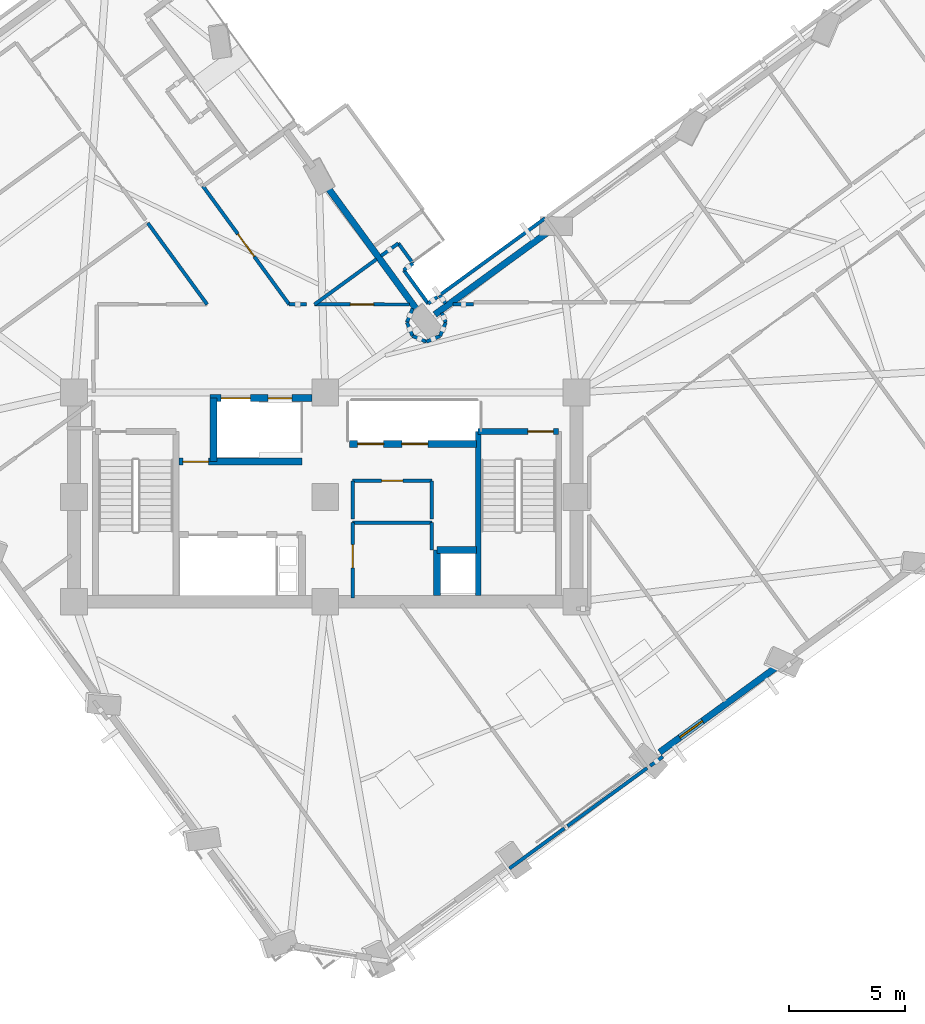
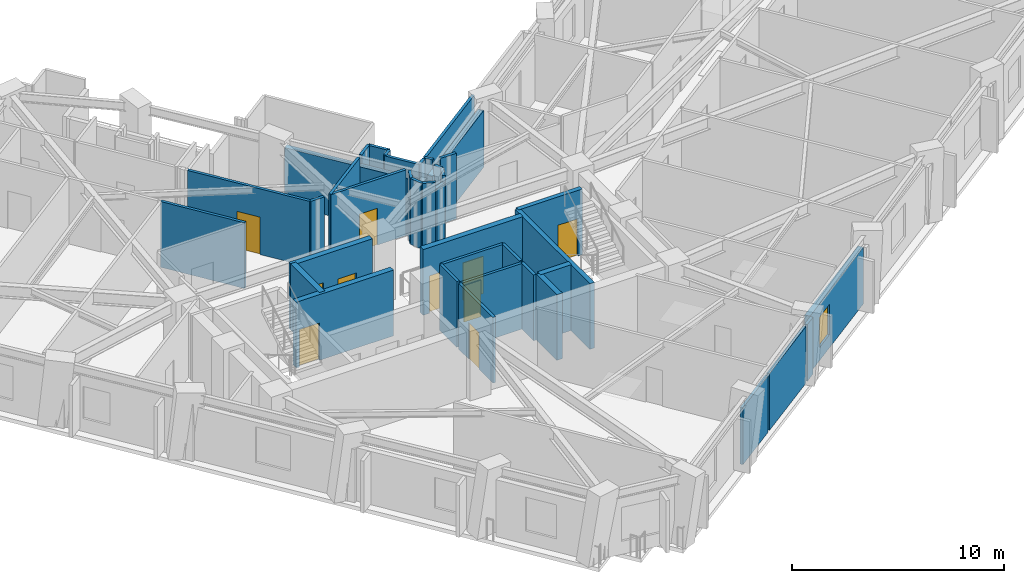
# One storey, part 6 of 14: 39 walls, 10 doors, 1 window, 11 openings.
"""IFC4 building model written with IfcOpenShell, lengths in metres."""

import ifcopenshell
import ifcopenshell.guid

model = None  # the IFC model being written
_history = None  # IfcOwnerHistory: only IFC2X3 demands one
_inside = {}  # id of a spatial element -> (the spatial element, [elements in it])
_under = {}  # id of a project, library or spatial element -> (it, [spatial elements below it])
_declared = {}  # id of a project -> (the project, [libraries it declares])
_typed = {}  # id of a type object -> (the type object, [elements of that type])
_made_of = {}  # id of a material, layer set ... -> (it, [elements and type objects made of it])


def new_model(schema):
    """Start an empty IFC model of exactly this schema.

    Asked for "IFC4X3", IfcOpenShell would pick the latest addendum, in which some entities
    have other attributes; the version numbers below select the first issue.
    IFC2X3 requires an IfcOwnerHistory on every rooted entity: one is made here for all.
    """
    global model, _history
    if schema == "IFC4X3":
        model = ifcopenshell.file(schema_version=(4, 3, 0, 0))
    else:
        model = ifcopenshell.file(schema=schema)
    _inside.clear()
    _under.clear()
    _declared.clear()
    _typed.clear()
    _made_of.clear()
    _history = None
    if model.schema == "IFC2X3":
        org = make("IfcOrganization", Name="unknown")
        user = make(
            "IfcPersonAndOrganization",
            ThePerson=make("IfcPerson", FamilyName="unknown"),
            TheOrganization=org,
        )
        app = make(
            "IfcApplication",
            ApplicationDeveloper=org,
            Version="unknown",
            ApplicationFullName="unknown",
            ApplicationIdentifier="unknown",
        )
        _history = make(
            "IfcOwnerHistory",
            OwningUser=user,
            OwningApplication=app,
            ChangeAction="ADDED",
            CreationDate=0,
        )
    return model


def make(cls, **values):
    """One entity of the class cls with the attributes given. An attribute that is None is left unset."""
    return model.create_entity(
        cls, **{name: value for name, value in values.items() if value is not None}
    )


def rooted(cls, **values):
    """An entity with a GlobalId (a new one), such as an element, a storey or a relation."""
    return make(cls, GlobalId=ifcopenshell.guid.new(), OwnerHistory=_history, **values)


def si_unit(unit_type, name, prefix=None):
    """IfcSIUnit, for example si_unit("LENGTHUNIT", "METRE", prefix="MILLI")."""
    return make("IfcSIUnit", UnitType=unit_type, Prefix=prefix, Name=name)


def assignment(units):
    """IfcUnitAssignment: the units of a project."""
    return None if units is None else make("IfcUnitAssignment", Units=units)


def point(xyz):
    """IfcCartesianPoint."""
    return None if xyz is None else make("IfcCartesianPoint", Coordinates=xyz)


def direction(xyz):
    """IfcDirection."""
    return None if xyz is None else make("IfcDirection", DirectionRatios=xyz)


def frame(location, z_axis=None, x_axis=None):
    """IfcAxis2Placement3D, a coordinate frame: its origin and axes. An axis left out is left unset."""
    return make(
        "IfcAxis2Placement3D",
        Location=point(location),
        Axis=direction(z_axis),
        RefDirection=direction(x_axis),
    )


def frame_2d(location, x_axis=None):
    """IfcAxis2Placement2D, a coordinate frame in the plane: its origin and x axis."""
    return make(
        "IfcAxis2Placement2D", Location=point(location), RefDirection=direction(x_axis)
    )


def origin():
    """The frame at (0, 0, 0) with its axes left unset."""
    return frame((0.0, 0.0, 0.0))


def place(relative_to, where):
    """IfcLocalPlacement: puts the frame where relative to a parent placement (None: the world)."""
    return make(
        "IfcLocalPlacement", PlacementRelTo=relative_to, RelativePlacement=where
    )


def context(
    kind, dimensions, precision=None, world=None, true_north=None, identifier=None
):
    """IfcGeometricRepresentationContext, for example the 3D "Model" context."""
    return make(
        "IfcGeometricRepresentationContext",
        ContextIdentifier=identifier,
        ContextType=kind,
        CoordinateSpaceDimension=dimensions,
        Precision=precision,
        WorldCoordinateSystem=world,
        TrueNorth=true_north,
    )


def subcontext(parent, identifier, kind, view, scale=None):
    """IfcGeometricRepresentationSubContext, for example "Body" below "Model"."""
    return make(
        "IfcGeometricRepresentationSubContext",
        ContextIdentifier=identifier,
        ContextType=kind,
        ParentContext=parent,
        TargetScale=scale,
        TargetView=view,
    )


def project(units=None, contexts=None):
    """IfcProject with its units and contexts."""
    return rooted(
        "IfcProject",
        Name="project",
        RepresentationContexts=contexts,
        UnitsInContext=assignment(units),
    )


def spatial(cls, under=None, at=None, **own):
    """A site, building, storey or space (cls), placed at a placement, below another one or the project."""
    s = rooted(cls, ObjectPlacement=at, **own)
    if under is not None:
        _under.setdefault(under.id(), (under, []))[1].append(s)
    return s


def profile(cls, at=None, kind="AREA", **sizes):
    """A parametric profile (cls). Its sizes go by their IFC names, for example OverallWidth=200.0."""
    return make(cls, ProfileType=kind, Position=at, **sizes)


def rectangle(**sizes):
    """IfcRectangleProfileDef."""
    return profile("IfcRectangleProfileDef", **sizes)


def extrude(swept, where, along, depth):
    """IfcExtrudedAreaSolid: the profile swept, set in the frame where, extruded along a direction by depth."""
    return make(
        "IfcExtrudedAreaSolid",
        SweptArea=swept,
        Position=where,
        ExtrudedDirection=direction(along),
        Depth=depth,
    )


def shape(context_of_items, identifier, shape_type, items):
    """IfcShapeRepresentation: the items that make up one representation, for example the "Body"."""
    return make(
        "IfcShapeRepresentation",
        ContextOfItems=context_of_items,
        RepresentationIdentifier=identifier,
        RepresentationType=shape_type,
        Items=items,
    )


def material(Name=None, Category=None):
    """IfcMaterial."""
    return make("IfcMaterial", Name=Name, Category=Category)


def layer(
    of_material, thickness, ventilated=None, Name=None, Category=None, Priority=None
):
    """IfcMaterialLayer: one layer of a wall or slab, of a material (None: an air gap)."""
    return make(
        "IfcMaterialLayer",
        Material=of_material,
        LayerThickness=thickness,
        IsVentilated=ventilated,
        Name=Name,
        Category=Category,
        Priority=Priority,
    )


def layer_set(layers, Name=None):
    """IfcMaterialLayerSet."""
    return make("IfcMaterialLayerSet", MaterialLayers=layers, LayerSetName=Name)


def made_of(thing, what):
    """Note that an element or type object is made of a material, layer set ...; save() writes the relation."""
    if what is not None:
        _made_of.setdefault(what.id(), (what, []))[1].append(thing)
    return thing


def type_object(cls, material=None, **own):
    """A type object (cls), such as IfcWallType, which elements share."""
    return made_of(rooted(cls, **own), material)


def element(
    cls,
    number,
    at=None,
    inside=None,
    cuts=None,
    type_object=None,
    material=None,
    context=None,
    identifier="Body",
    shape_type=None,
    held_by="IfcProductDefinitionShape",
    body=None,
    shapes=None,
    **own,
):
    """One element of the class cls, such as IfcWall. Its Tag is "e" and its number.

    at: its placement. inside: the storey or other place that contains it. cuts: it is an
    opening in that element (IfcRelVoidsElement). A single representation is given by context,
    identifier, shape_type and body (its items); several are given by shapes. held_by: the class
    of the entity that holds the representations. save() writes the other relations.
    """
    e = rooted(cls, Tag="e%d" % number, ObjectPlacement=at, **own)
    if body is not None:
        shapes = [shape(context, identifier, shape_type, body)]
    if shapes is not None:
        e.Representation = make(held_by, Representations=shapes)
    if inside is not None:
        _inside.setdefault(inside.id(), (inside, []))[1].append(e)
    if cuts is not None:
        rooted(
            "IfcRelVoidsElement", RelatingBuildingElement=cuts, RelatedOpeningElement=e
        )
    if type_object is not None:
        _typed.setdefault(type_object.id(), (type_object, []))[1].append(e)
    return made_of(e, material)


def fill(opening, filler):
    """IfcRelFillsElement: the door or window that sits in an opening."""
    return rooted(
        "IfcRelFillsElement",
        RelatingOpeningElement=opening,
        RelatedBuildingElement=filler,
    )


def aggregate(whole, parts):
    """IfcRelAggregates: a whole, such as a stair, and the parts it consists of."""
    return rooted("IfcRelAggregates", RelatingObject=whole, RelatedObjects=parts)


def save(model, path):
    """Write the relations noted so far, then the file.

    IfcRelAggregates (storeys below a building ...), IfcRelContainedInSpatialStructure (elements
    in a storey), IfcRelDefinesByType, IfcRelAssociatesMaterial and IfcRelDeclares: one each for
    every whole, place, type object, material and project.
    """
    for whole, parts in _under.values():
        aggregate(whole, parts)
    for where, things in _inside.values():
        rooted(
            "IfcRelContainedInSpatialStructure",
            RelatedElements=things,
            RelatingStructure=where,
        )
    for kind, things in _typed.values():
        rooted("IfcRelDefinesByType", RelatedObjects=things, RelatingType=kind)
    for what, things in _made_of.values():
        rooted("IfcRelAssociatesMaterial", RelatedObjects=things, RelatingMaterial=what)
    for by, libraries in _declared.values():
        rooted("IfcRelDeclares", RelatingContext=by, RelatedDefinitions=libraries)
    model.write(path)


model = new_model("IFC4")

# Units and contexts
model_context = context("Model", 3, precision=1e-05, world=origin(), true_north=direction((0.0, 1.0)))
body_context = subcontext(model_context, "Body", "Model", "MODEL_VIEW")
ifc_project = project(units=[si_unit("LENGTHUNIT", "METRE"), si_unit("AREAUNIT", "SQUARE_METRE"), si_unit("VOLUMEUNIT", "CUBIC_METRE"), si_unit("PLANEANGLEUNIT", "RADIAN"), si_unit("MASSUNIT", "GRAM", prefix="KILO")], contexts=[model_context])

# Site, building, storey
site_placement = place(None, origin())
site = spatial("IfcSite", under=ifc_project, at=site_placement, CompositionType="ELEMENT")
building_placement = place(site_placement, origin())
building = spatial("IfcBuilding", under=site, at=building_placement, Name="Gaonmaruhae Medical Tower", CompositionType="ELEMENT")
storey_placement = place(building_placement, frame((0.0, 0.0, 177.800048828125)))
storey = spatial("IfcBuildingStorey", under=building, at=storey_placement, Name="L42", CompositionType="ELEMENT", Elevation=177.800048828125)

# Wall, opening, window
ifc_material_1 = material(Name="Precast concrete C45/55", Category="concrete")
ifc_layer_1 = layer(ifc_material_1, 0.280029296875)
ifc_layer_set_1 = layer_set([ifc_layer_1], Name="Precast concrete C45/55")
wall_type_1 = type_object("IfcWallType", Name="EW-280 Upper Precast Masonry-Frame Facade Wall", PredefinedType="SOLIDWALL", material=ifc_layer_set_1)
wall_1_placement = place(storey_placement, frame((44.19580078125, 4.9892578125, 0.0), z_axis=(0.0, 0.0, 1.0), x_axis=(-0.80798960604, -0.589196738392, 0.0)))
wall_1 = element("IfcWall", 1, at=wall_1_placement, inside=storey, type_object=wall_type_1, Name="L42 Precast Masonry-Frame Wall S03-S04", PredefinedType="SOLIDWALL", context=body_context, shape_type="SweptSolid", body=[
    extrude(rectangle(XDim=6.214111328125, YDim=0.280029296875, at=frame_2d((3.10693359375, 0.0))), origin(), (0.0, 0.0, 1.0), 3.264892578125),
])
opening_1_placement = place(wall_1_placement, frame((3.93505859375, 0.0, 0.75)))
opening_1 = element("IfcOpeningElement", 2, at=opening_1_placement, cuts=wall_1, Name="Opening WN-05", PredefinedType="OPENING", context=body_context, shape_type="SweptSolid", body=[
    extrude(rectangle(XDim=1.199951171875, YDim=1.75, at=frame_2d((0.60009765625, 0.875))), frame((0.0, 0.14990234375, 0.0), z_axis=(0.0, -1.0, 0.0), x_axis=(1.0, 0.0, 0.0)), (0.0, 0.0, 1.0), 0.300048828125),
])
ifc_material_2 = material(Name="Anodised aluminium and Low-E double glazing", Category="aluminium")
window_type = type_object("IfcWindowType", Name="WN-05 Support & Staff Punched Window 1200x1750", PartitioningType="SINGLE_PANEL", PredefinedType="WINDOW", material=ifc_material_2)
window_placement = place(opening_1_placement, origin())
window = element("IfcWindow", 3, at=window_placement, inside=storey, type_object=window_type, Name="L42 Modular Facade Window S03", OverallHeight=1.75, OverallWidth=1.199951171875, PartitioningType="SINGLE_PANEL", PredefinedType="WINDOW", context=body_context, shape_type="SweptSolid", body=[
    extrude(rectangle(XDim=1.199951171875, YDim=1.75, at=frame_2d((0.60009765625, 0.875))), frame((0.0, 0.030029296875, 0.0), z_axis=(0.0, -1.0, 0.0), x_axis=(1.0, 0.0, 0.0)), (0.0, 0.0, 1.0), 0.06005859375),
])
fill(opening_1, window)

# Walls
wall_2_placement = place(storey_placement, frame((29.510986328125, 20.1474609375, 0.0), z_axis=(0.0, 0.0, 1.0), x_axis=(0.807984372864, 0.589203914793, 0.0)))
element("IfcWall", 4, at=wall_2_placement, inside=storey, type_object=wall_type_1, Name="L42 Precast Masonry-Frame Wall EN03-KN01", PredefinedType="SOLIDWALL", context=body_context, shape_type="SweptSolid", body=[
    extrude(rectangle(XDim=5.960205078125, YDim=0.280029296875, at=frame_2d((2.97998046875, 0.0))), origin(), (0.0, 0.0, 1.0), 3.264892578125),
])
wall_3_placement = place(storey_placement, frame((28.8427734375, 20.20703125, 0.0), z_axis=(0.0, 0.0, 1.0), x_axis=(-0.589197701426, 0.807988903782, 0.0)))
element("IfcWall", 5, at=wall_3_placement, inside=storey, type_object=wall_type_1, Name="L42 Precast Masonry-Frame Wall KN01-NE01", PredefinedType="SOLIDWALL", context=body_context, shape_type="SweptSolid", body=[
    extrude(rectangle(XDim=6.759765625, YDim=0.280029296875, at=frame_2d((3.3798828125, 0.0))), origin(), (0.0, 0.0, 1.0), 3.264892578125),
])

# Wall, opening, door
ifc_material_3 = material(Name="Gypsum board partition", Category="gypsum")
ifc_layer_2 = layer(ifc_material_3, 0.14990234375)
ifc_layer_set_2 = layer_set([ifc_layer_2], Name="Gypsum board partition")
wall_type_2 = type_object("IfcWallType", Name="PW-150 Rated Clinical Corridor Partition", PredefinedType="PARTITIONING", material=ifc_layer_set_2)
wall_4_placement = place(storey_placement, frame((25.97998046875, 7.9599609375, 0.0), z_axis=(0.0, 0.0, 1.0), x_axis=(0.0, 1.0, 0.0)))
wall_4 = element("IfcWall", 6, at=wall_4_placement, inside=storey, type_object=wall_type_2, Name="L42 Interior Partition L42-RCL1-1", PredefinedType="PARTITIONING", context=body_context, shape_type="SweptSolid", body=[
    extrude(rectangle(XDim=3.239990234375, YDim=0.14990234375, at=frame_2d((1.6201171875, 0.0))), origin(), (0.0, 0.0, 1.0), 3.780029296875),
])
opening_2_placement = place(wall_4_placement, frame((1.294921875, 0.0, 0.0)))
opening_2 = element("IfcOpeningElement", 7, at=opening_2_placement, cuts=wall_4, Name="Opening CD-01", PredefinedType="OPENING", context=body_context, shape_type="SweptSolid", body=[
    extrude(rectangle(XDim=1.0, YDim=2.1201171875, at=frame_2d((0.5, 1.06005859375))), frame((0.0, 0.0849609375, 0.0), z_axis=(0.0, -1.0, 0.0), x_axis=(1.0, 0.0, 0.0)), (0.0, 0.0, 1.0), 0.169921875),
])
ifc_material_4 = material(Name="Antimicrobial laminate timber fire door", Category="wood")
door_type_1 = type_object("IfcDoorType", Name="CD-01 Consultation & Physician Office Door 1000x2120", OperationType="NOTDEFINED", PredefinedType="DOOR", material=ifc_material_4)
door_1_placement = place(opening_2_placement, origin())
door_1 = element("IfcDoor", 8, at=door_1_placement, inside=storey, type_object=door_type_1, Name="L42 Clinical Telemetry and Medication Room Door", OperationType="SINGLE_SWING_RIGHT", OverallHeight=2.1201171875, OverallWidth=1.0, PredefinedType="DOOR", context=body_context, shape_type="SweptSolid", body=[
    extrude(rectangle(XDim=1.0, YDim=2.1201171875, at=frame_2d((0.5, 1.06005859375))), frame((0.0, 0.02490234375, 0.0), z_axis=(0.0, -1.0, 0.0), x_axis=(1.0, 0.0, 0.0)), (0.0, 0.0, 1.0), 0.050048828125),
])
fill(opening_2, door_1)

# Walls
wall_5_placement = place(storey_placement, frame((25.97998046875, 11.199951171875, 0.0), z_axis=(0.0, 0.0, 1.0), x_axis=(1.0, 0.0, 0.0)))
element("IfcWall", 9, at=wall_5_placement, inside=storey, type_object=wall_type_2, Name="L42 Interior Partition L42-RCL1-2", PredefinedType="PARTITIONING", context=body_context, shape_type="SweptSolid", body=[
    extrude(rectangle(XDim=3.39990234375, YDim=0.14990234375, at=frame_2d((1.699951171875, 0.0))), origin(), (0.0, 0.0, 1.0), 3.780029296875),
])
wall_6_placement = place(storey_placement, frame((29.3798828125, 11.199951171875, 0.0), z_axis=(0.0, 0.0, 1.0), x_axis=(0.0, -1.0, 0.0)))
element("IfcWall", 10, at=wall_6_placement, inside=storey, type_object=wall_type_2, Name="L42 Interior Partition L42-RCL1-3", PredefinedType="PARTITIONING", context=body_context, shape_type="SweptSolid", body=[
    extrude(rectangle(XDim=1.179931640625, YDim=0.14990234375, at=frame_2d((0.58984375, 0.0))), origin(), (0.0, 0.0, 1.0), 3.780029296875),
])
wall_7_placement = place(storey_placement, frame((25.97998046875, 11.360107421875, 0.0), z_axis=(0.0, 0.0, 1.0), x_axis=(0.0, 1.0, 0.0)))
element("IfcWall", 11, at=wall_7_placement, inside=storey, type_object=wall_type_2, Name="L42 Interior Partition L42-CS1-4", PredefinedType="PARTITIONING", context=body_context, shape_type="SweptSolid", body=[
    extrude(rectangle(XDim=1.639892578125, YDim=0.14990234375, at=frame_2d((0.81982421875, 0.0))), origin(), (0.0, 0.0, 1.0), 3.780029296875),
])

# Wall, opening, door
wall_8_placement = place(storey_placement, frame((25.97998046875, 13.0, 0.0), z_axis=(0.0, 0.0, 1.0), x_axis=(1.0, 0.0, 0.0)))
wall_8 = element("IfcWall", 12, at=wall_8_placement, inside=storey, type_object=wall_type_2, Name="L42 Interior Partition L42-CS1-5", PredefinedType="PARTITIONING", context=body_context, shape_type="SweptSolid", body=[
    extrude(rectangle(XDim=3.39990234375, YDim=0.14990234375, at=frame_2d((1.699951171875, 0.0))), origin(), (0.0, 0.0, 1.0), 3.780029296875),
])
opening_3_placement = place(wall_8_placement, frame((1.239990234375, 0.0, 0.0)))
opening_3 = element("IfcOpeningElement", 13, at=opening_3_placement, cuts=wall_8, Name="Opening UD-01", PredefinedType="OPENING", context=body_context, shape_type="SweptSolid", body=[
    extrude(rectangle(XDim=0.919921875, YDim=2.10009765625, at=frame_2d((0.4599609375, 1.050048828125))), frame((0.0, 0.0849609375, 0.0), z_axis=(0.0, -1.0, 0.0), x_axis=(1.0, 0.0, 0.0)), (0.0, 0.0, 1.0), 0.169921875),
])
ifc_material_5 = material(Name="Powder-coated steel utility door", Category="steel")
door_type_2 = type_object("IfcDoorType", Name="UD-01 Toilet, Utility & Housekeeping Door 920x2100", OperationType="NOTDEFINED", PredefinedType="DOOR", material=ifc_material_5)
door_2_placement = place(opening_3_placement, origin())
door_2 = element("IfcDoor", 14, at=door_2_placement, inside=storey, type_object=door_type_2, Name="L42 Accessible Staff Toilet Door", OperationType="SINGLE_SWING_LEFT", OverallHeight=2.10009765625, OverallWidth=0.919921875, PredefinedType="DOOR", context=body_context, shape_type="SweptSolid", body=[
    extrude(rectangle(XDim=0.919921875, YDim=2.10009765625, at=frame_2d((0.4599609375, 1.050048828125))), frame((0.0, 0.02490234375, 0.0), z_axis=(0.0, -1.0, 0.0), x_axis=(1.0, 0.0, 0.0)), (0.0, 0.0, 1.0), 0.050048828125),
])
fill(opening_3, door_2)

# Walls
wall_9_placement = place(storey_placement, frame((29.3798828125, 13.0, 0.0), z_axis=(0.0, 0.0, 1.0), x_axis=(0.0, -1.0, 0.0)))
element("IfcWall", 15, at=wall_9_placement, inside=storey, type_object=wall_type_2, Name="L42 Interior Partition L42-CS1-6", PredefinedType="PARTITIONING", context=body_context, shape_type="SweptSolid", body=[
    extrude(rectangle(XDim=1.639892578125, YDim=0.14990234375, at=frame_2d((0.81982421875, 0.0))), origin(), (0.0, 0.0, 1.0), 3.780029296875),
])
wall_10_placement = place(storey_placement, frame((35.0810546875, -1.94189453125, 0.0), z_axis=(0.0, 0.0, 1.0), x_axis=(-0.807964570439, -0.589231069204, 0.0)))
element("IfcWall", 16, at=wall_10_placement, inside=storey, type_object=wall_type_2, Name="L42 Interior Partition L42-SUP03-10", PredefinedType="PARTITIONING", context=body_context, shape_type="SweptSolid", body=[
    extrude(rectangle(XDim=2.930908203125, YDim=0.14990234375, at=frame_2d((1.46533203125, 0.0))), origin(), (0.0, 0.0, 1.0), 3.264892578125),
])
wall_11_placement = place(storey_placement, frame((38.635986328125, 0.64990234375, 0.0), z_axis=(0.0, 0.0, 1.0), x_axis=(-0.808045791303, -0.589119681523, 0.0)))
element("IfcWall", 17, at=wall_11_placement, inside=storey, type_object=wall_type_2, Name="L42 Interior Partition L42-SUP04-13", PredefinedType="PARTITIONING", context=body_context, shape_type="SweptSolid", body=[
    extrude(rectangle(XDim=4.239990234375, YDim=0.14990234375, at=frame_2d((2.1201171875, 0.0))), origin(), (0.0, 0.0, 1.0), 3.264892578125),
])
wall_12_placement = place(storey_placement, frame((39.31005859375, 1.14208984375, 0.0), z_axis=(0.0, 0.0, 1.0), x_axis=(-0.807530243719, -0.589826165475, 0.0)))
element("IfcWall", 18, at=wall_12_placement, inside=storey, type_object=wall_type_2, Name="L42 Interior Partition L42-SUP05-16", PredefinedType="PARTITIONING", context=body_context, shape_type="SweptSolid", body=[
    extrude(rectangle(XDim=0.675048828125, YDim=0.14990234375, at=frame_2d((0.33740234375, 0.0))), origin(), (0.0, 0.0, 1.0), 3.264892578125),
])
wall_13_placement = place(storey_placement, frame((17.1689453125, 24.0810546875, 0.0), z_axis=(0.0, 0.0, 1.0), x_axis=(0.589199746841, -0.807987412231, 0.0)))
element("IfcWall", 19, at=wall_13_placement, inside=storey, type_object=wall_type_2, Name="L42 Interior Partition L42-WOF15-51", PredefinedType="PARTITIONING", context=body_context, shape_type="SweptSolid", body=[
    extrude(rectangle(XDim=4.3330078125, YDim=0.14990234375, at=frame_2d((2.16650390625, 0.0))), origin(), (0.0, 0.0, 1.0), 3.780029296875),
])
wall_14_placement = place(storey_placement, frame((29.222900390625, 20.617919921875, 0.0), z_axis=(0.0, 0.0, 1.0), x_axis=(0.807701219135, 0.589592011995, 0.0)))
element("IfcWall", 20, at=wall_14_placement, inside=storey, type_object=wall_type_2, Name="L42 Interior Partition L42-IE01-61", PredefinedType="PARTITIONING", context=body_context, shape_type="SweptSolid", body=[
    extrude(rectangle(XDim=0.490234375, YDim=0.14990234375, at=frame_2d((0.2451171875, 0.0))), origin(), (0.0, 0.0, 1.0), 3.780029296875),
])
wall_15_placement = place(storey_placement, frame((29.80908203125, 20.221923828125, 0.0), z_axis=(0.0, 0.0, 1.0), x_axis=(0.381831882466, -0.92423179643, 0.0)))
element("IfcWall", 21, at=wall_15_placement, inside=storey, type_object=wall_type_2, Name="L42 Interior Partition L42-IE01-62", PredefinedType="PARTITIONING", context=body_context, shape_type="SweptSolid", body=[
    extrude(rectangle(XDim=0.4423828125, YDim=0.14990234375, at=frame_2d((0.22119140625, 0.0))), origin(), (0.0, 0.0, 1.0), 3.780029296875),
])
wall_16_placement = place(storey_placement, frame((29.97802734375, 19.81298828125, 0.0), z_axis=(0.0, 0.0, 1.0), x_axis=(-0.382306769343, -0.924035461503, 0.0)))
element("IfcWall", 22, at=wall_16_placement, inside=storey, type_object=wall_type_2, Name="L42 Interior Partition L42-IE01-63", PredefinedType="PARTITIONING", context=body_context, shape_type="SweptSolid", body=[
    extrude(rectangle(XDim=0.638671875, YDim=0.14990234375, at=frame_2d((0.3193359375, 0.0))), origin(), (0.0, 0.0, 1.0), 3.780029296875),
])
wall_17_placement = place(storey_placement, frame((29.73388671875, 19.222900390625, 0.0), z_axis=(0.0, 0.0, 1.0), x_axis=(-0.924114659462, -0.382115291723, 0.0)))
element("IfcWall", 23, at=wall_17_placement, inside=storey, type_object=wall_type_2, Name="L42 Interior Partition L42-IE01-64", PredefinedType="PARTITIONING", context=body_context, shape_type="SweptSolid", body=[
    extrude(rectangle(XDim=0.63818359375, YDim=0.14990234375, at=frame_2d((0.319091796875, 0.0))), origin(), (0.0, 0.0, 1.0), 3.4150390625),
])
wall_18_placement = place(storey_placement, frame((29.14404296875, 18.97900390625, 0.0), z_axis=(0.0, 0.0, 1.0), x_axis=(-0.923946844683, 0.382520885967, 0.0)))
element("IfcWall", 24, at=wall_18_placement, inside=storey, type_object=wall_type_2, Name="L42 Interior Partition L42-IE01-65", PredefinedType="PARTITIONING", context=body_context, shape_type="SweptSolid", body=[
    extrude(rectangle(XDim=0.6376953125, YDim=0.14990234375, at=frame_2d((0.31884765625, 0.0))), origin(), (0.0, 0.0, 1.0), 3.780029296875),
])
for number, where, z_axis, x_axis, name in (
    (25, (28.554931640625, 19.222900390625, 0.0), (0.0, 0.0, 1.0), (-0.381980268386, 0.924170479167, 0.0), "L42 Interior Partition L42-IE01-66"),
    (26, (28.31103515625, 19.81298828125, 0.0), (0.0, 0.0, 1.0), (0.381980268386, 0.924170479167, 0.0), "L42 Interior Partition L42-IE01-67"),
):
    element("IfcWall", number, at=place(storey_placement, frame(where, z_axis=z_axis, x_axis=x_axis)), inside=storey, type_object=wall_type_2, Name=name, PredefinedType="PARTITIONING", context=body_context, shape_type="SweptSolid", body=[
        extrude(rectangle(XDim=0.638427734375, YDim=0.14990234375, at=frame_2d((0.3193359375, 0.0))), origin(), (0.0, 0.0, 1.0), 3.780029296875),
    ])

# Wall, opening, door
wall_19_placement = place(storey_placement, frame((28.428955078125, 20.5791015625, 0.0), z_axis=(0.0, 0.0, 1.0), x_axis=(-0.999999971564, 0.0002384785, 0.0)))
wall_19 = element("IfcWall", 27, at=wall_19_placement, inside=storey, type_object=wall_type_2, Name="L42 Interior Partition L42-IE01-68", PredefinedType="PARTITIONING", context=body_context, shape_type="SweptSolid", body=[
    extrude(rectangle(XDim=4.094970703125, YDim=0.14990234375, at=frame_2d((2.04736328125, 0.0))), origin(), (0.0, 0.0, 1.0), 3.780029296875),
])
opening_4_placement = place(wall_19_placement, frame((1.547607421875, 0.0, 0.0)))
opening_4 = element("IfcOpeningElement", 28, at=opening_4_placement, cuts=wall_19, Name="Opening CD-01", PredefinedType="OPENING", context=body_context, shape_type="SweptSolid", body=[
    extrude(rectangle(XDim=1.0, YDim=2.1201171875, at=frame_2d((0.5, 1.06005859375))), frame((0.0, 0.0849609375, 0.0), z_axis=(0.0, -1.0, 0.0), x_axis=(1.0, 0.0, 0.0)), (0.0, 0.0, 1.0), 0.169921875),
])
door_3_placement = place(opening_4_placement, origin())
door_3 = element("IfcDoor", 29, at=door_3_placement, inside=storey, type_object=door_type_1, Name="L42 Central Clinical Nurse Station Door", OperationType="SINGLE_SWING_RIGHT", OverallHeight=2.1201171875, OverallWidth=1.0, PredefinedType="DOOR", context=body_context, shape_type="SweptSolid", body=[
    extrude(rectangle(XDim=1.0, YDim=2.1201171875, at=frame_2d((0.5, 1.06005859375))), frame((0.0, 0.02490234375, 0.0), z_axis=(0.0, -1.0, 0.0), x_axis=(1.0, 0.0, 0.0)), (0.0, 0.0, 1.0), 0.050048828125),
])
fill(opening_4, door_3)

# Walls
wall_20_placement = place(storey_placement, frame((24.333984375, 20.580078125, 0.0), z_axis=(0.0, 0.0, 1.0), x_axis=(0.808030219446, 0.589141039532, 0.0)))
element("IfcWall", 30, at=wall_20_placement, inside=storey, type_object=wall_type_2, Name="L42 Interior Partition L42-IE01-69", PredefinedType="PARTITIONING", context=body_context, shape_type="SweptSolid", body=[
    extrude(rectangle(XDim=3.30810546875, YDim=0.14990234375, at=frame_2d((1.654052734375, 0.0))), origin(), (0.0, 0.0, 1.0), 3.780029296875),
])
wall_21_placement = place(storey_placement, frame((27.193115234375, 22.6650390625, 0.0), z_axis=(0.0, 0.0, 1.0), x_axis=(0.807821533762, 0.589427153761, 0.0)))
element("IfcWall", 31, at=wall_21_placement, inside=storey, type_object=wall_type_2, Name="L42 Interior Partition L42-IE01-70", PredefinedType="PARTITIONING", context=body_context, shape_type="SweptSolid", body=[
    extrude(rectangle(XDim=0.924560546875, YDim=0.14990234375, at=frame_2d((0.46240234375, 0.0))), origin(), (0.0, 0.0, 1.0), 3.780029296875),
])
wall_22_placement = place(storey_placement, frame((27.93994140625, 23.2099609375, 0.0), z_axis=(0.0, 0.0, 1.0), x_axis=(0.589517481751, -0.807755618185, 0.0)))
element("IfcWall", 32, at=wall_22_placement, inside=storey, type_object=wall_type_2, Name="L42 Interior Partition L42-IE01-71", PredefinedType="PARTITIONING", context=body_context, shape_type="SweptSolid", body=[
    extrude(rectangle(XDim=1.067138671875, YDim=0.14990234375, at=frame_2d((0.53369140625, 0.0))), origin(), (0.0, 0.0, 1.0), 3.780029296875),
])
wall_23_placement = place(storey_placement, frame((28.569091796875, 22.347900390625, 0.0), z_axis=(0.0, 0.0, 1.0), x_axis=(-0.807938361971, -0.589267005063, 0.0)))
element("IfcWall", 33, at=wall_23_placement, inside=storey, type_object=wall_type_2, Name="L42 Interior Partition L42-IE01-72", PredefinedType="PARTITIONING", context=body_context, shape_type="SweptSolid", body=[
    extrude(rectangle(XDim=0.490234375, YDim=0.14990234375, at=frame_2d((0.2451171875, 0.0))), origin(), (0.0, 0.0, 1.0), 3.780029296875),
])
wall_24_placement = place(storey_placement, frame((28.173095703125, 22.05908203125, 0.0), z_axis=(0.0, 0.0, 1.0), x_axis=(0.588790291938, -0.808285835654, 0.0)))
element("IfcWall", 34, at=wall_24_placement, inside=storey, type_object=wall_type_2, Name="L42 Interior Partition L42-IE01-73", PredefinedType="PARTITIONING", context=body_context, shape_type="SweptSolid", body=[
    extrude(rectangle(XDim=1.782958984375, YDim=0.14990234375, at=frame_2d((0.8916015625, 0.0))), origin(), (0.0, 0.0, 1.0), 3.780029296875),
])
wall_25_placement = place(storey_placement, frame((31.169921875, 20.580078125, 0.0), z_axis=(0.0, 0.0, 1.0), x_axis=(-1.0, 0.0, 0.0)))
element("IfcWall", 35, at=wall_25_placement, inside=storey, type_object=wall_type_2, Name="L42 Interior Partition L42-IE02-74", PredefinedType="PARTITIONING", context=body_context, shape_type="SweptSolid", body=[
    extrude(rectangle(XDim=0.870849609375, YDim=0.14990234375, at=frame_2d((0.435546875, 0.0))), origin(), (0.0, 0.0, 1.0), 3.780029296875),
])
wall_26_placement = place(storey_placement, frame((29.971923828125, 20.6259765625, 0.0), z_axis=(0.0, 0.0, 1.0), x_axis=(-0.587904822125, 0.808930108305, 0.0)))
element("IfcWall", 36, at=wall_26_placement, inside=storey, type_object=wall_type_2, Name="L42 Interior Partition L42-IE02-75", PredefinedType="PARTITIONING", context=body_context, shape_type="SweptSolid", body=[
    extrude(rectangle(XDim=0.435302734375, YDim=0.14990234375, at=frame_2d((0.2177734375, 0.0))), origin(), (0.0, 0.0, 1.0), 3.780029296875),
])
wall_27_placement = place(storey_placement, frame((29.716064453125, 20.97802734375, 0.0), z_axis=(0.0, 0.0, 1.0), x_axis=(0.807964856264, 0.589230677275, 0.0)))
element("IfcWall", 37, at=wall_27_placement, inside=storey, type_object=wall_type_2, Name="L42 Interior Partition L42-IE02-76", PredefinedType="PARTITIONING", context=body_context, shape_type="SweptSolid", body=[
    extrude(rectangle(XDim=5.61767578125, YDim=0.14990234375, at=frame_2d((2.808837890625, 0.0))), origin(), (0.0, 0.0, 1.0), 3.780029296875),
])
wall_28_placement = place(storey_placement, frame((23.98193359375, 20.580078125, 0.0), z_axis=(0.0, 0.0, 1.0), x_axis=(-1.0, 0.0, 0.0)))
element("IfcWall", 38, at=wall_28_placement, inside=storey, type_object=wall_type_2, Name="L42 Interior Partition L42-IN01-99", PredefinedType="PARTITIONING", context=body_context, shape_type="SweptSolid", body=[
    extrude(rectangle(XDim=0.73291015625, YDim=0.14990234375, at=frame_2d((0.366455078125, 0.0))), origin(), (0.0, 0.0, 1.0), 3.780029296875),
])

# Wall, opening, door
wall_29_placement = place(storey_placement, frame((23.2490234375, 20.580078125, 0.0), z_axis=(0.0, 0.0, 1.0), x_axis=(-0.589195373933, 0.807990601019, 0.0)))
wall_29 = element("IfcWall", 39, at=wall_29_placement, inside=storey, type_object=wall_type_2, Name="L42 Interior Partition L42-IN01-100", PredefinedType="PARTITIONING", context=body_context, shape_type="SweptSolid", body=[
    extrude(rectangle(XDim=6.29345703125, YDim=0.14990234375, at=frame_2d((3.146728515625, 0.0))), origin(), (0.0, 0.0, 1.0), 3.780029296875),
])
opening_5_placement = place(wall_29_placement, frame((2.546630859375, 0.0, 0.0)))
opening_5 = element("IfcOpeningElement", 40, at=opening_5_placement, cuts=wall_29, Name="Opening CD-02", PredefinedType="OPENING", context=body_context, shape_type="SweptSolid", body=[
    extrude(rectangle(XDim=1.199951171875, YDim=2.14990234375, at=frame_2d((0.60009765625, 1.074951171875))), frame((0.0, 0.0849609375, 0.0), z_axis=(0.0, -1.0, 0.0), x_axis=(1.0, 0.0, 0.0)), (0.0, 0.0, 1.0), 0.169921875),
])
door_type_3 = type_object("IfcDoorType", Name="CD-02 Clinical Treatment & Procedure Door 1200x2150", OperationType="NOTDEFINED", PredefinedType="DOOR", material=ifc_material_4)
door_4_placement = place(opening_5_placement, origin())
door_4 = element("IfcDoor", 41, at=door_4_placement, inside=storey, type_object=door_type_3, Name="L42 Physician Consultation Office Door", OperationType="SINGLE_SWING_RIGHT", OverallHeight=2.14990234375, OverallWidth=1.199951171875, PredefinedType="DOOR", context=body_context, shape_type="SweptSolid", body=[
    extrude(rectangle(XDim=1.199951171875, YDim=2.14990234375, at=frame_2d((0.60009765625, 1.074951171875))), frame((0.0, 0.02490234375, 0.0), z_axis=(0.0, -1.0, 0.0), x_axis=(1.0, 0.0, 0.0)), (0.0, 0.0, 1.0), 0.050048828125),
])
fill(opening_5, door_4)

ifc_material_6 = material(Name="Concrete C50/60", Category="concrete")
ifc_layer_3 = layer(ifc_material_6, 0.239990234375)
ifc_layer_set_3 = layer_set([ifc_layer_3], Name="Concrete C50/60")
wall_type_3 = type_object("IfcWallType", Name="SW-240 Dogleg Stair Tight Shaft Wall", PredefinedType="SOLIDWALL", material=ifc_layer_set_3)
wall_30_placement = place(storey_placement, frame((31.3701171875, 15.1201171875, 0.0), z_axis=(0.0, 0.0, 1.0), x_axis=(1.0, 0.0, 0.0)))
wall_30 = element("IfcWall", 42, at=wall_30_placement, inside=storey, type_object=wall_type_3, Name="L42 ST-02 Stair Shaft Wall SHW-ST-02-N", PredefinedType="SOLIDWALL", context=body_context, shape_type="SweptSolid", body=[
    extrude(rectangle(XDim=3.4599609375, YDim=0.239990234375, at=frame_2d((1.72998046875, 0.0))), origin(), (0.0, 0.0, 1.0), 3.780029296875),
])
opening_6_placement = place(wall_30_placement, frame((2.139892578125, 0.0, 0.0)))
opening_6 = element("IfcOpeningElement", 43, at=opening_6_placement, cuts=wall_30, Name="Opening FD-01", PredefinedType="OPENING", context=body_context, shape_type="SweptSolid", body=[
    extrude(rectangle(XDim=1.10009765625, YDim=2.14990234375, at=frame_2d((0.550048828125, 1.074951171875))), frame((0.0, 0.1298828125, 0.0), z_axis=(0.0, -1.0, 0.0), x_axis=(1.0, 0.0, 0.0)), (0.0, 0.0, 1.0), 0.260009765625),
])
ifc_material_7 = material(Name="Powder-coated steel fire door", Category="steel")
door_type_4 = type_object("IfcDoorType", Name="FD-01 Escape Stair Protected Fire Door 1100x2150", OperationType="NOTDEFINED", PredefinedType="DOOR", material=ifc_material_7)
door_5_placement = place(opening_6_placement, origin())
door_5 = element("IfcDoor", 44, at=door_5_placement, inside=storey, type_object=door_type_4, Name="L42 ST-02 Protected Escape Stair Door", OperationType="SINGLE_SWING_LEFT", OverallHeight=2.14990234375, OverallWidth=1.10009765625, PredefinedType="DOOR", context=body_context, shape_type="SweptSolid", body=[
    extrude(rectangle(XDim=1.10009765625, YDim=2.14990234375, at=frame_2d((0.550048828125, 1.074951171875))), frame((0.0, 0.02490234375, 0.0), z_axis=(0.0, -1.0, 0.0), x_axis=(1.0, 0.0, 0.0)), (0.0, 0.0, 1.0), 0.050048828125),
])
fill(opening_6, door_5)

# Wall
wall_31_placement = place(storey_placement, frame((31.3701171875, 8.074951171875, 0.0), z_axis=(0.0, 0.0, 1.0), x_axis=(0.0, 1.0, 0.0)))
element("IfcWall", 45, at=wall_31_placement, inside=storey, type_object=wall_type_3, Name="L42 ST-02 Stair Shaft Wall SHW-ST-02-W", PredefinedType="SOLIDWALL", context=body_context, shape_type="SweptSolid", body=[
    extrude(rectangle(XDim=7.045166015625, YDim=0.239990234375, at=frame_2d((3.5224609375, 0.0))), origin(), (0.0, 0.0, 1.0), 3.780029296875),
])

# Wall, openings, doors
ifc_layer_4 = layer(ifc_material_6, 0.300048828125)
ifc_layer_set_4 = layer_set([ifc_layer_4], Name="Concrete C50/60")
wall_type_4 = type_object("IfcWallType", Name="SW-300 Stair & Lift Hoistway Shaft Wall", PredefinedType="SOLIDWALL", material=ifc_layer_set_4)
wall_32_placement = place(storey_placement, frame((19.85009765625, 16.550048828125, 0.0), z_axis=(0.0, 0.0, 1.0), x_axis=(1.0, 0.0, 0.0)))
wall_32 = element("IfcWall", 46, at=wall_32_placement, inside=storey, type_object=wall_type_4, Name="L42 Core Shear Wall CSW-NB", PredefinedType="SOLIDWALL", context=body_context, shape_type="SweptSolid", body=[
    extrude(rectangle(XDim=4.375, YDim=0.300048828125, at=frame_2d((2.1875, 0.0))), origin(), (0.0, 0.0, 1.0), 3.780029296875),
])
opening_7_placement = place(wall_32_placement, frame((0.47509765625, 0.0, 0.0)))
opening_7 = element("IfcOpeningElement", 47, at=opening_7_placement, cuts=wall_32, Name="Opening LD-F1", PredefinedType="OPENING", context=body_context, shape_type="SweptSolid", body=[
    extrude(rectangle(XDim=1.25, YDim=2.179931640625, at=frame_2d((0.625, 1.08984375))), frame((0.0, 0.16015625, 0.0), z_axis=(0.0, -1.0, 0.0), x_axis=(1.0, 0.0, 0.0)), (0.0, 0.0, 1.0), 0.320068359375),
])
opening_8_placement = place(wall_32_placement, frame((2.489990234375, 0.0, 0.0)))
opening_8 = element("IfcOpeningElement", 48, at=opening_8_placement, cuts=wall_32, Name="Opening LD-S1", PredefinedType="OPENING", context=body_context, shape_type="SweptSolid", body=[
    extrude(rectangle(XDim=1.02001953125, YDim=2.1201171875, at=frame_2d((0.510009765625, 1.06005859375))), frame((0.0, 0.16015625, 0.0), z_axis=(0.0, -1.0, 0.0), x_axis=(1.0, 0.0, 0.0)), (0.0, 0.0, 1.0), 0.320068359375),
])
ifc_material_8 = material(Name="Brushed stainless steel 316L landing door", Category="steel")
door_type_5 = type_object("IfcDoorType", Name="LD-F1 Firefighting & Bed Lift Sliding Landing Door 1250x2180", OperationType="NOTDEFINED", PredefinedType="DOOR", material=ifc_material_8)
door_6_placement = place(opening_7_placement, origin())
door_6 = element("IfcDoor", 49, at=door_6_placement, inside=storey, type_object=door_type_5, Name="L42 Service/Bed Lift Landing Door BDL-01", OperationType="DOUBLE_DOOR_SLIDING", OverallHeight=2.179931640625, OverallWidth=1.25, PredefinedType="DOOR", context=body_context, shape_type="SweptSolid", body=[
    extrude(rectangle(XDim=1.25, YDim=2.179931640625, at=frame_2d((0.625, 1.08984375))), frame((0.0, 0.02490234375, 0.0), z_axis=(0.0, -1.0, 0.0), x_axis=(1.0, 0.0, 0.0)), (0.0, 0.0, 1.0), 0.050048828125),
])
fill(opening_7, door_6)
ifc_material_9 = material(Name="Brushed stainless steel 304 landing door", Category="steel")
door_type_6 = type_object("IfcDoorType", Name="LD-S1 Service Lift Sliding Landing Door 1020x2120", OperationType="NOTDEFINED", PredefinedType="DOOR", material=ifc_material_9)
door_7_placement = place(opening_8_placement, origin())
door_7 = element("IfcDoor", 50, at=door_7_placement, inside=storey, type_object=door_type_6, Name="L42 Service/Bed Lift Landing Door SVL-01", OperationType="SLIDING_TO_LEFT", OverallHeight=2.1201171875, OverallWidth=1.02001953125, PredefinedType="DOOR", context=body_context, shape_type="SweptSolid", body=[
    extrude(rectangle(XDim=1.02001953125, YDim=2.1201171875, at=frame_2d((0.510009765625, 1.06005859375))), frame((0.0, 0.02490234375, 0.0), z_axis=(0.0, -1.0, 0.0), x_axis=(1.0, 0.0, 0.0)), (0.0, 0.0, 1.0), 0.050048828125),
])
fill(opening_8, door_7)

# Wall, opening, door
wall_33_placement = place(storey_placement, frame((18.5, 13.820068359375, 0.0), z_axis=(0.0, 0.0, 1.0), x_axis=(1.0, 0.0, 0.0)))
wall_33 = element("IfcWall", 51, at=wall_33_placement, inside=storey, type_object=wall_type_4, Name="L42 Shaft Enclosure Wall SHW-FFL", PredefinedType="SOLIDWALL", context=body_context, shape_type="SweptSolid", body=[
    extrude(rectangle(XDim=5.300048828125, YDim=0.300048828125, at=frame_2d((2.64990234375, 0.0))), origin(), (0.0, 0.0, 1.0), 3.780029296875),
])
opening_9_placement = place(wall_33_placement, frame((0.179931640625, 0.0, 0.0)))
opening_9 = element("IfcOpeningElement", 52, at=opening_9_placement, cuts=wall_33, Name="Opening FD-01", PredefinedType="OPENING", context=body_context, shape_type="SweptSolid", body=[
    extrude(rectangle(XDim=1.10009765625, YDim=2.14990234375, at=frame_2d((0.550048828125, 1.074951171875))), frame((0.0, 0.16015625, 0.0), z_axis=(0.0, -1.0, 0.0), x_axis=(1.0, 0.0, 0.0)), (0.0, 0.0, 1.0), 0.320068359375),
])
door_8_placement = place(opening_9_placement, origin())
door_8 = element("IfcDoor", 53, at=door_8_placement, inside=storey, type_object=door_type_4, Name="L42 Firefighting Lobby Smoke Door", OperationType="SINGLE_SWING_LEFT", OverallHeight=2.14990234375, OverallWidth=1.10009765625, PredefinedType="DOOR", context=body_context, shape_type="SweptSolid", body=[
    extrude(rectangle(XDim=1.10009765625, YDim=2.14990234375, at=frame_2d((0.550048828125, 1.074951171875))), frame((0.0, 0.02490234375, 0.0), z_axis=(0.0, -1.0, 0.0), x_axis=(1.0, 0.0, 0.0)), (0.0, 0.0, 1.0), 0.050048828125),
])
fill(opening_9, door_8)

# Walls
wall_34_placement = place(storey_placement, frame((20.0, 13.820068359375, 0.0), z_axis=(0.0, 0.0, 1.0), x_axis=(0.0, 1.0, 0.0)))
element("IfcWall", 54, at=wall_34_placement, inside=storey, type_object=wall_type_4, Name="L42 Shaft Enclosure Wall SHW-BDW", PredefinedType="SOLIDWALL", context=body_context, shape_type="SweptSolid", body=[
    extrude(rectangle(XDim=2.72998046875, YDim=0.300048828125, at=frame_2d((1.364990234375, 0.0))), origin(), (0.0, 0.0, 1.0), 3.780029296875),
])
wall_35_placement = place(storey_placement, frame((29.60009765625, 10.02001953125, 0.0), z_axis=(0.0, 0.0, 1.0), x_axis=(1.0, 0.0, 0.0)))
element("IfcWall", 55, at=wall_35_placement, inside=storey, type_object=wall_type_4, Name="L42 Shaft Enclosure Wall SHW-PLS", PredefinedType="SOLIDWALL", context=body_context, shape_type="SweptSolid", body=[
    extrude(rectangle(XDim=1.699951171875, YDim=0.300048828125, at=frame_2d((0.85009765625, 0.0))), origin(), (0.0, 0.0, 1.0), 3.780029296875),
])
wall_36_placement = place(storey_placement, frame((29.60009765625, 8.074951171875, 0.0), z_axis=(0.0, 0.0, 1.0), x_axis=(0.0, 1.0, 0.0)))
element("IfcWall", 56, at=wall_36_placement, inside=storey, type_object=wall_type_4, Name="L42 Shaft Enclosure Wall SHW-PLD1", PredefinedType="SOLIDWALL", context=body_context, shape_type="SweptSolid", body=[
    extrude(rectangle(XDim=1.945068359375, YDim=0.300048828125, at=frame_2d((0.97265625, 0.0))), origin(), (0.0, 0.0, 1.0), 3.780029296875),
])

# Wall, openings, doors
wall_37_placement = place(storey_placement, frame((25.85009765625, 14.580078125, 0.0), z_axis=(0.0, 0.0, 1.0), x_axis=(1.0, 0.0, 0.0)))
wall_37 = element("IfcWall", 57, at=wall_37_placement, inside=storey, type_object=wall_type_4, Name="L42 Shaft Enclosure Wall SHW-PLN", PredefinedType="SOLIDWALL", context=body_context, shape_type="SweptSolid", body=[
    extrude(rectangle(XDim=5.449951171875, YDim=0.300048828125, at=frame_2d((2.72509765625, 0.0))), origin(), (0.0, 0.0, 1.0), 3.780029296875),
])
opening_10_placement = place(wall_37_placement, frame((0.340087890625, 0.0, 0.0)))
opening_10 = element("IfcOpeningElement", 58, at=opening_10_placement, cuts=wall_37, Name="Opening LD-P1", PredefinedType="OPENING", context=body_context, shape_type="SweptSolid", body=[
    extrude(rectangle(XDim=1.1201171875, YDim=2.14990234375, at=frame_2d((0.56005859375, 1.074951171875))), frame((0.0, 0.16015625, 0.0), z_axis=(0.0, -1.0, 0.0), x_axis=(1.0, 0.0, 0.0)), (0.0, 0.0, 1.0), 0.320068359375),
])
opening_11_placement = place(wall_37_placement, frame((2.239990234375, 0.0, 0.0)))
opening_11 = element("IfcOpeningElement", 59, at=opening_11_placement, cuts=wall_37, Name="Opening LD-P1", PredefinedType="OPENING", context=body_context, shape_type="SweptSolid", body=[
    extrude(rectangle(XDim=1.1201171875, YDim=2.14990234375, at=frame_2d((0.56005859375, 1.074951171875))), frame((0.0, 0.16015625, 0.0), z_axis=(0.0, -1.0, 0.0), x_axis=(1.0, 0.0, 0.0)), (0.0, 0.0, 1.0), 0.320068359375),
])
door_type_7 = type_object("IfcDoorType", Name="LD-P1 Passenger Lift Sliding Landing Door 1120x2150", OperationType="NOTDEFINED", PredefinedType="DOOR", material=ifc_material_9)
door_9_placement = place(opening_10_placement, origin())
door_9 = element("IfcDoor", 60, at=door_9_placement, inside=storey, type_object=door_type_7, Name="L42 Passenger Lift Landing Door PL-M1", OperationType="DOUBLE_DOOR_SLIDING", OverallHeight=2.14990234375, OverallWidth=1.1201171875, PredefinedType="DOOR", context=body_context, shape_type="SweptSolid", body=[
    extrude(rectangle(XDim=1.1201171875, YDim=2.14990234375, at=frame_2d((0.56005859375, 1.074951171875))), frame((0.0, 0.02490234375, 0.0), z_axis=(0.0, -1.0, 0.0), x_axis=(1.0, 0.0, 0.0)), (0.0, 0.0, 1.0), 0.050048828125),
])
fill(opening_10, door_9)
door_10_placement = place(opening_11_placement, origin())
door_10 = element("IfcDoor", 61, at=door_10_placement, inside=storey, type_object=door_type_7, Name="L42 Passenger Lift Landing Door PL-M2", OperationType="DOUBLE_DOOR_SLIDING", OverallHeight=2.14990234375, OverallWidth=1.1201171875, PredefinedType="DOOR", context=body_context, shape_type="SweptSolid", body=[
    extrude(rectangle(XDim=1.1201171875, YDim=2.14990234375, at=frame_2d((0.56005859375, 1.074951171875))), frame((0.0, 0.02490234375, 0.0), z_axis=(0.0, -1.0, 0.0), x_axis=(1.0, 0.0, 0.0)), (0.0, 0.0, 1.0), 0.050048828125),
])
fill(opening_11, door_10)

save(model, "model.ifc")
